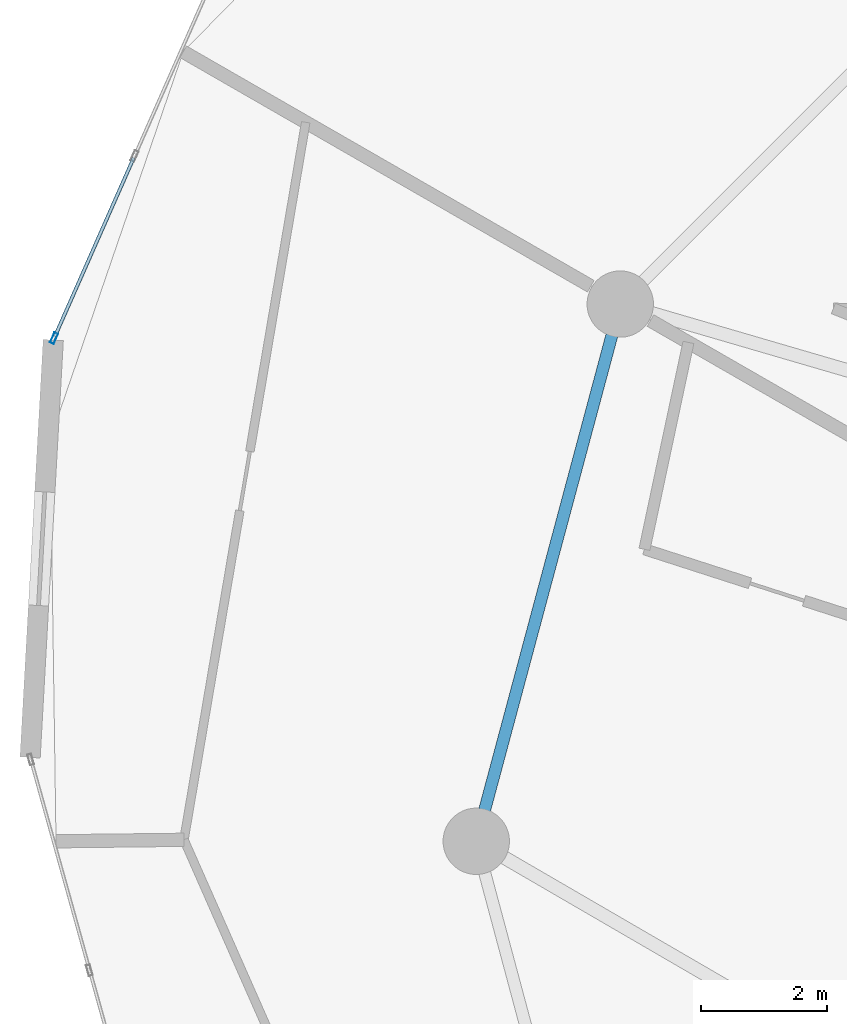
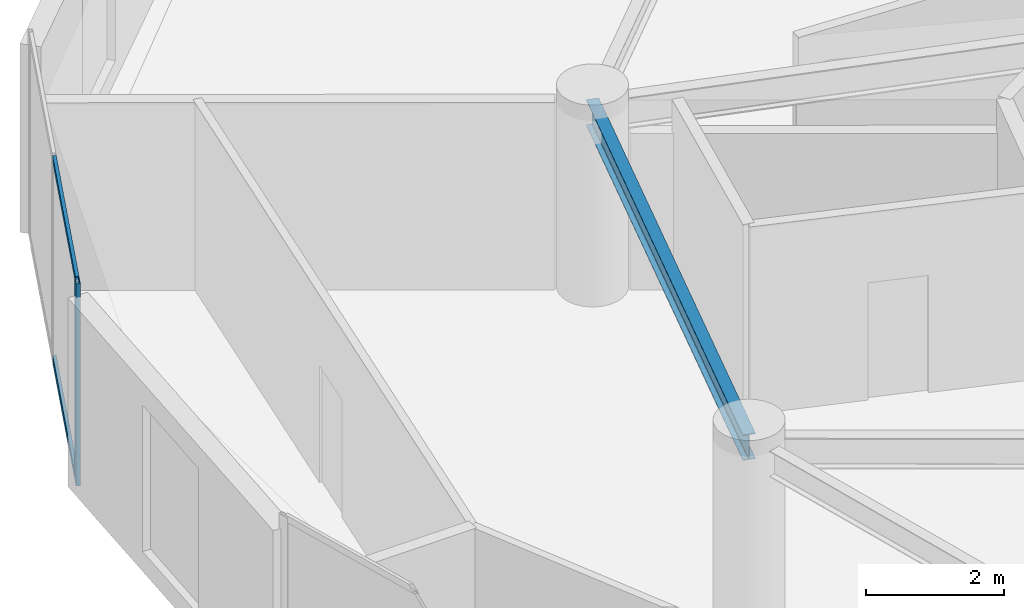
# One storey, part 7 of 25: 3 members, 1 beam, 1 element without a shape of its own.
"""IFC4 building model written with IfcOpenShell, lengths in metres."""

from ifc_helpers import new_model, si_unit, direction, frame, origin, origin_2d, place, context, subcontext, project, spatial, hollow_rectangle, i_section, extrude, source, transform, mapped, material, layer, layer_set, material_profile, profile_set, type_object, element, aggregate, save


model = new_model("IFC4")

# Units and contexts
model_context = context("Model", 3, precision=1e-05, world=origin(), true_north=direction((0.0, 1.0)))
body_context = subcontext(model_context, "Body", "Model", "MODEL_VIEW")
ifc_project = project(units=[si_unit("LENGTHUNIT", "METRE"), si_unit("AREAUNIT", "SQUARE_METRE"), si_unit("VOLUMEUNIT", "CUBIC_METRE"), si_unit("PLANEANGLEUNIT", "RADIAN"), si_unit("MASSUNIT", "GRAM", prefix="KILO")], contexts=[model_context])

# Site, building, storey
site_placement = place(None, origin())
site = spatial("IfcSite", under=ifc_project, at=site_placement, CompositionType="ELEMENT")
building_placement = place(site_placement, origin())
building = spatial("IfcBuilding", under=site, at=building_placement, Name="Solvirekh Grand Hotel", CompositionType="ELEMENT")
storey_placement = place(building_placement, frame((0.0, 0.0, 117.0)))
storey = spatial("IfcBuildingStorey", under=building, at=storey_placement, Name="L29", CompositionType="ELEMENT", Elevation=117.0)

# Beam
ifc_material_1 = material(Name="Steel S355", Category="steel")
ifc_material_profile_1 = material_profile(ifc_material_1, i_section(OverallWidth=0.18994140625, OverallDepth=0.45703125, WebThickness=0.009033203125, FlangeThickness=0.013916015625, FilletRadius=0.012939453125, at=origin_2d()), Name="W460X74")
ifc_profile_set_1 = profile_set([ifc_material_profile_1], Name="Steel S355")
beam_type = type_object("IfcBeamType", Name="Spandrel_Ring_W460", PredefinedType="SPANDREL", material=ifc_profile_set_1)
beam_placement = place(storey_placement, frame((-14.721923828125, 8.5, 3.12109375), z_axis=(-0.258872908946, -0.965911391906, 0.0), x_axis=(0.965911391906, -0.258872908946, 0.0)))
element("IfcBeam", 1, at=beam_placement, inside=storey, type_object=beam_type, Name="L29 perimeter spandrel beam 6", PredefinedType="SPANDREL", context=body_context, shape_type="SweptSolid", body=[
    extrude(i_section(OverallWidth=0.18994140625, OverallDepth=0.45703125, WebThickness=0.009033203125, FlangeThickness=0.013916015625, FilletRadius=0.012939453125, at=origin_2d()), origin(), (0.0, 0.0, 1.0), 8.800048828125),
])

# Curtain wall, members
ifc_material_2 = material(Name="Anodized Bronze Aluminium 6063-T6", Category="aluminium")
ifc_layer = layer(ifc_material_2, 0.175048828125)
ifc_layer_set = layer_set([ifc_layer], Name="Anodized Bronze Aluminium 6063-T6")
curtain_wall_type = type_object("IfcCurtainWallType", Name="CW_Sys3_MidZoneFlushBronzeCW", PredefinedType="NOTDEFINED", material=ifc_layer_set)
curtain_wall_placement = place(storey_placement, origin())
curtain_wall = element("IfcCurtainWall", 2, at=curtain_wall_placement, inside=storey, type_object=curtain_wall_type, Name="L29 unitised bronze-glass curtain wall CW-L29-C11", PredefinedType="NOTDEFINED")
ifc_material_profile_2 = material_profile(ifc_material_2, hollow_rectangle(XDim=0.06494140625, YDim=0.175048828125, WallThickness=0.0048828125, at=origin_2d()), Name="ALU RHS 175X65X5")
ifc_profile_set_2 = profile_set([ifc_material_profile_2], Name="Anodized Bronze Aluminium 6063-T6")
member_type_1 = type_object("IfcMemberType", Name="CWMullion_Sys3", PredefinedType="MULLION", material=ifc_profile_set_2)
shared_shape_1 = source(origin(), body_context, "Body", "SweptSolid", [
    extrude(hollow_rectangle(XDim=0.06494140625, YDim=0.175048828125, WallThickness=0.0048828125, at=origin_2d()), origin(), (0.0, 0.0, 1.0), 3.60009765625),
])
member_1_placement = place(storey_placement, frame((-23.679931640625, 7.959716796875, 0.0), z_axis=(0.0, 0.0, 1.0), x_axis=(0.914818852712, -0.403864416262, 0.0)))
member_1 = element("IfcMember", 3, at=member_1_placement, type_object=member_type_1, Name="U03 mullion 3", PredefinedType="MULLION", context=body_context, shape_type="MappedRepresentation", body=[
    mapped(shared_shape_1, transform((0.0, 0.0, 0.0), x_axis=(1.0, 0.0, 0.0), y_axis=(0.0, 1.0, 0.0), z_axis=(0.0, 0.0, 1.0), scale=1.0)),
])
ifc_material_profile_3 = material_profile(ifc_material_2, hollow_rectangle(XDim=0.054931640625, YDim=0.1201171875, WallThickness=0.00390625, at=origin_2d()), Name="ALU RHS 120X55X4")
ifc_profile_set_3 = profile_set([ifc_material_profile_3], Name="Anodized Bronze Aluminium 6063-T6")
member_type_2 = type_object("IfcMemberType", Name="CWTransom_Sys3", PredefinedType="USERDEFINED", material=ifc_profile_set_3)
shared_shape_2 = source(origin(), body_context, "Body", "SweptSolid", [
    extrude(hollow_rectangle(XDim=0.054931640625, YDim=0.1201171875, WallThickness=0.00390625, at=origin_2d()), origin(), (0.0, 0.0, 1.0), 3.086669921875),
])
member_2_placement = place(storey_placement, frame((-22.420166015625, 10.813232421875, 0.027587890625), z_axis=(-0.403862189327, -0.914819835832, 0.0), x_axis=(0.914819835832, -0.403862189327, 0.0)))
member_2 = element("IfcMember", 4, at=member_2_placement, type_object=member_type_2, Name="U03 transom 2.1", ObjectType="TRANSOM", PredefinedType="USERDEFINED", context=body_context, shape_type="MappedRepresentation", body=[
    mapped(shared_shape_2, transform((0.0, 0.0, 0.0), x_axis=(1.0, 0.0, 0.0), y_axis=(0.0, 1.0, 0.0), z_axis=(0.0, 0.0, 1.0), scale=1.0)),
])
member_3_placement = place(storey_placement, frame((-22.420166015625, 10.813232421875, 3.572509765625), z_axis=(-0.403862189327, -0.914819835832, 0.0), x_axis=(0.914819835832, -0.403862189327, 0.0)))
member_3 = element("IfcMember", 5, at=member_3_placement, type_object=member_type_2, Name="U03 transom 2.2", ObjectType="TRANSOM", PredefinedType="USERDEFINED", context=body_context, shape_type="MappedRepresentation", body=[
    mapped(shared_shape_2, transform((0.0, 0.0, 0.0), x_axis=(1.0, 0.0, 0.0), y_axis=(0.0, 1.0, 0.0), z_axis=(0.0, 0.0, 1.0), scale=1.0)),
])
aggregate(curtain_wall, [member_1, member_2, member_3])

save(model, "model.ifc")
